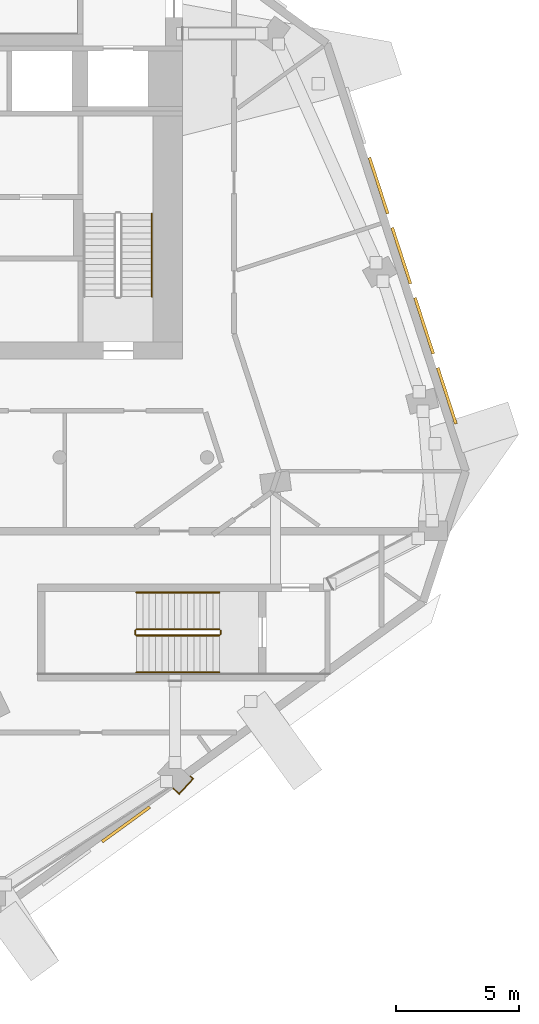
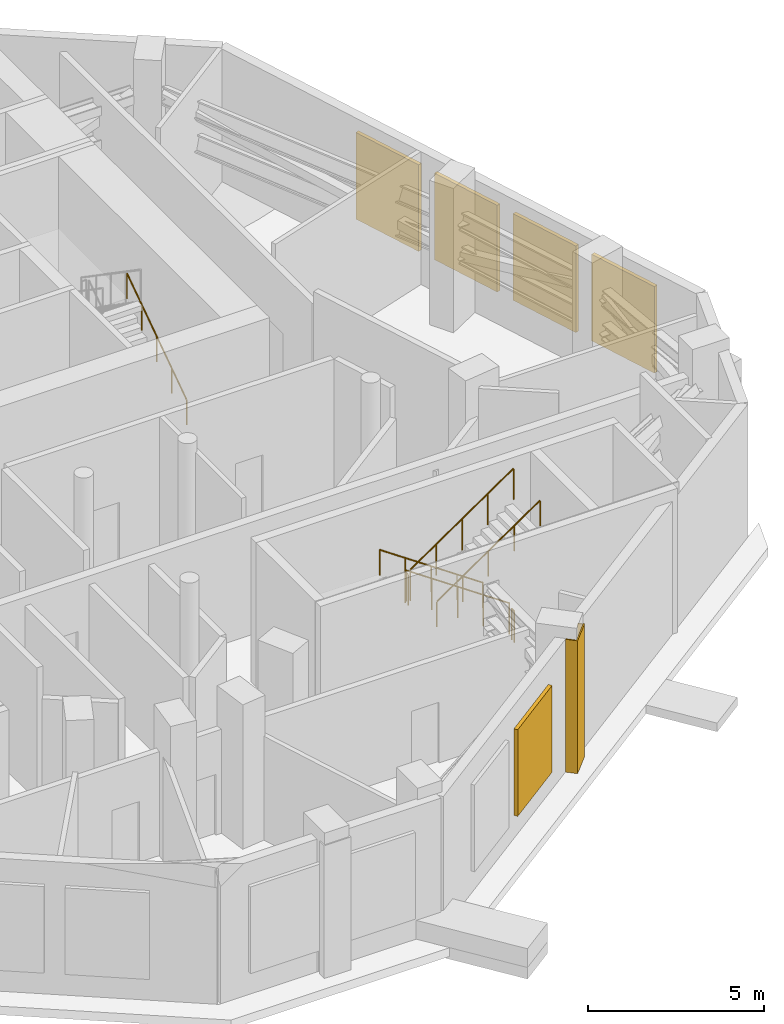
# One storey, part 13 of 15: 7 railings, 5 shading devices, 1 covering.
"""IFC4 building model written with IfcOpenShell, lengths in metres."""

from ifc_helpers import new_model, si_unit, direction, frame, origin, origin_2d, place, context, subcontext, project, spatial, polyline, rectangle, circle, outline, extrude, material, layer, layer_set, type_object, element, save


model = new_model("IFC4")

# Units and contexts
model_context = context("Model", 3, precision=1e-05, world=origin(), true_north=direction((0.0, 1.0)))
body_context = subcontext(model_context, "Body", "Model", "MODEL_VIEW")
ifc_project = project(units=[si_unit("LENGTHUNIT", "METRE"), si_unit("AREAUNIT", "SQUARE_METRE"), si_unit("VOLUMEUNIT", "CUBIC_METRE"), si_unit("PLANEANGLEUNIT", "RADIAN"), si_unit("MASSUNIT", "GRAM", prefix="KILO")], contexts=[model_context])

# Site, building, storey
site_placement = place(None, origin())
site = spatial("IfcSite", under=ifc_project, at=site_placement, CompositionType="ELEMENT")
building_placement = place(site_placement, origin())
building = spatial("IfcBuilding", under=site, at=building_placement, Name="White Candle Pilgrim Tower", CompositionType="ELEMENT")
storey_placement = place(building_placement, frame((0.0, 0.0, 295.10009765625)))
storey = spatial("IfcBuildingStorey", under=building, at=storey_placement, Name="L70", CompositionType="ELEMENT", Elevation=295.10009765625)

# Shading devices
ifc_material_1 = material(Name="Aluminium", Category="aluminium")
shading_device_type = type_object("IfcShadingDeviceType", Name="Plant louvre LV1 2400x3000 aluminium framed", PredefinedType="USERDEFINED", material=ifc_material_1)
for number, where, z_axis, x_axis, name in (
    (1, (78.694580078125, 52.05810546875, 0.7998046875), (0.0, 0.0, 1.0), (0.809016996457, 0.587785249426, 0.0), "Plant louvre L70 SE 2"),
    (2, (91.763916015625, 69.510009765625, 0.7998046875), (0.0, 0.0, 1.0), (-0.309016998591, 0.951056514925, 0.0), "Plant louvre L70 ENE 1"),
    (3, (90.8369140625, 72.36328125, 0.7998046875), (0.0, 0.0, 1.0), (-0.309016998591, 0.951056514925, 0.0), "Plant louvre L70 ENE 2"),
    (4, (89.90966796875, 75.21630859375, 0.7998046875), (0.0, 0.0, 1.0), (-0.309016998591, 0.951056514925, 0.0), "Plant louvre L70 ENE 3"),
    (5, (88.982666015625, 78.069580078125, 0.7998046875), (0.0, 0.0, 1.0), (-0.309016998591, 0.951056514925, 0.0), "Plant louvre L70 ENE 4"),
):
    element("IfcShadingDevice", number, at=place(storey_placement, frame(where, z_axis=z_axis, x_axis=x_axis)), inside=storey, type_object=shading_device_type, Name=name, ObjectType="LOUVRE", PredefinedType="USERDEFINED", context=body_context, shape_type="SweptSolid", body=[
        extrude(rectangle(XDim=2.39990234375, YDim=0.1201171875, at=origin_2d()), origin(), (0.0, 0.0, 1.0), 3.0),
    ])

# Covering
ifc_material_2 = material(Name="Precast concrete C40/50", Category="concrete")
ifc_layer = layer(ifc_material_2, 0.0400390625)
ifc_layer_set = layer_set([ifc_layer], Name="Precast column cover CL4 40")
covering_type = type_object("IfcCoveringType", Name="Precast column cover CL4 40", PredefinedType="CLADDING", material=ifc_layer_set)
covering_placement = place(storey_placement, origin())
element("IfcCovering", 6, at=covering_placement, inside=storey, type_object=covering_type, Name="Column cover L70 T05", PredefinedType="CLADDING", context=body_context, shape_type="SweptSolid", body=[
    extrude(outline(polyline([(81.28955078125, 54.017578125), (81.322509765625, 54.041748046875), (81.4580078125, 53.915283203125), (80.85791015625, 53.271728515625), (80.597412109375, 53.514892578125), (80.63037109375, 53.538818359375), (80.85595703125, 53.328369140625), (81.401611328125, 53.913330078125), (81.28955078125, 54.017578125)])), origin(), (0.0, 0.0, 1.0), 4.599853515625),
])

# Railings
ifc_material_3 = material(Name="Stainless steel", Category="steel")
railing_type_1 = type_object("IfcRailingType", Name="Stair guard stainless steel 1100 mm", PredefinedType="GUARDRAIL", material=ifc_material_3)
railing_1_placement = place(storey_placement, frame((82.5, 60.0, 0.178466796875)))
element("IfcRailing", 7, at=railing_1_placement, inside=storey, type_object=railing_type_1, Name="L70 ST4 stair guard 1", PredefinedType="GUARDRAIL", context=body_context, shape_type="SweptSolid", body=[
    extrude(circle(Radius=0.02392578125, at=origin_2d()), frame((0.0, 0.0, 1.076171875), z_axis=(-0.824285065979, 0.0, 0.566174999451), x_axis=(0.0, -1.0, 0.0)), (0.0, 0.0, 1.0), 4.100341796875),
    extrude(circle(Radius=0.02099609375, at=origin_2d()), origin(), (0.0, 0.0, 1.0), 1.052001953125),
    extrude(circle(Radius=0.02099609375, at=origin_2d()), frame((-0.844970703125, 0.0, 0.580322265625)), (0.0, 0.0, 1.0), 1.052001953125),
    extrude(circle(Radius=0.02099609375, at=origin_2d()), frame((-1.68994140625, 0.0, 1.16064453125)), (0.0, 0.0, 1.0), 1.052001953125),
    extrude(circle(Radius=0.02099609375, at=origin_2d()), frame((-2.534912109375, 0.0, 1.7412109375)), (0.0, 0.0, 1.0), 1.052001953125),
    extrude(circle(Radius=0.02099609375, at=origin_2d()), frame((-3.3798828125, 0.0, 2.321533203125)), (0.0, 0.0, 1.0), 1.052001953125),
])
railing_2_placement = place(storey_placement, frame((79.070068359375, 59.949951171875, 2.5)))
element("IfcRailing", 8, at=railing_2_placement, inside=storey, type_object=railing_type_1, Name="L70 ST4 stair guard 2", PredefinedType="GUARDRAIL", context=body_context, shape_type="SweptSolid", body=[
    extrude(circle(Radius=0.02392578125, at=origin_2d()), frame((0.0, 0.0, 1.076171875), z_axis=(0.0, -1.0, 0.0), x_axis=(1.0, 0.0, 0.0)), (0.0, 0.0, 1.0), 0.14990234375),
    extrude(circle(Radius=0.02099609375, at=origin_2d()), origin(), (0.0, 0.0, 1.0), 1.052001953125),
    extrude(circle(Radius=0.02099609375, at=origin_2d()), frame((0.0, -0.14990234375, 0.0)), (0.0, 0.0, 1.0), 1.052001953125),
])
railing_3_placement = place(storey_placement, frame((79.1201171875, 59.75, 2.678466796875)))
element("IfcRailing", 9, at=railing_3_placement, inside=storey, type_object=railing_type_1, Name="L70 ST4 stair guard 3", PredefinedType="GUARDRAIL", context=body_context, shape_type="SweptSolid", body=[
    extrude(circle(Radius=0.02392578125, at=origin_2d()), frame((0.0, 0.0, 1.076171875), z_axis=(0.824285065979, 0.0, 0.566174999451), x_axis=(0.0, 1.0, 0.0)), (0.0, 0.0, 1.0), 4.100341796875),
    extrude(circle(Radius=0.02099609375, at=origin_2d()), origin(), (0.0, 0.0, 1.0), 1.052001953125),
    extrude(circle(Radius=0.02099609375, at=origin_2d()), frame((0.844970703125, 0.0, 0.580322265625)), (0.0, 0.0, 1.0), 1.052001953125),
    extrude(circle(Radius=0.02099609375, at=origin_2d()), frame((1.68994140625, 0.0, 1.16064453125)), (0.0, 0.0, 1.0), 1.052001953125),
    extrude(circle(Radius=0.02099609375, at=origin_2d()), frame((2.534912109375, 0.0, 1.7412109375)), (0.0, 0.0, 1.0), 1.052001953125),
    extrude(circle(Radius=0.02099609375, at=origin_2d()), frame((3.3798828125, 0.0, 2.321533203125)), (0.0, 0.0, 1.0), 1.052001953125),
])
railing_4_placement = place(storey_placement, frame((82.550048828125, 59.949951171875, 0.0)))
element("IfcRailing", 10, at=railing_4_placement, inside=storey, type_object=railing_type_1, Name="L70 ST4 stair guard 4", PredefinedType="GUARDRAIL", context=body_context, shape_type="SweptSolid", body=[
    extrude(circle(Radius=0.02392578125, at=origin_2d()), frame((0.0, 0.0, 1.076171875), z_axis=(0.0, -1.0, 0.0), x_axis=(1.0, 0.0, 0.0)), (0.0, 0.0, 1.0), 0.14990234375),
    extrude(circle(Radius=0.02099609375, at=origin_2d()), origin(), (0.0, 0.0, 1.0), 1.052001953125),
    extrude(circle(Radius=0.02099609375, at=origin_2d()), frame((0.0, -0.14990234375, 0.0)), (0.0, 0.0, 1.0), 1.052001953125),
])
railing_type_2 = type_object("IfcRailingType", Name="Stair handrail stainless steel", PredefinedType="HANDRAIL", material=ifc_material_3)
railing_5_placement = place(storey_placement, frame((79.75, 73.550048828125, 0.178466796875)))
element("IfcRailing", 11, at=railing_5_placement, inside=storey, type_object=railing_type_2, Name="L70 ST2 stair handrail 1", PredefinedType="HANDRAIL", context=body_context, shape_type="SweptSolid", body=[
    extrude(circle(Radius=0.02392578125, at=origin_2d()), frame((0.0, 0.0, 0.8759765625), z_axis=(0.0, 0.824285065979, 0.566174999451), x_axis=(-1.0, 0.0, 0.0)), (0.0, 0.0, 1.0), 4.100341796875),
    extrude(circle(Radius=0.02099609375, at=origin_2d()), origin(), (0.0, 0.0, 1.0), 0.851806640625),
    extrude(circle(Radius=0.02099609375, at=origin_2d()), frame((0.0, 0.844970703125, 0.580322265625)), (0.0, 0.0, 1.0), 0.851806640625),
    extrude(circle(Radius=0.02099609375, at=origin_2d()), frame((0.0, 1.68994140625, 1.16064453125)), (0.0, 0.0, 1.0), 0.851806640625),
    extrude(circle(Radius=0.02099609375, at=origin_2d()), frame((0.0, 2.534912109375, 1.7412109375)), (0.0, 0.0, 1.0), 0.851806640625),
    extrude(circle(Radius=0.02099609375, at=origin_2d()), frame((0.0, 3.3798828125, 2.321533203125)), (0.0, 0.0, 1.0), 0.851806640625),
])
railing_6_placement = place(storey_placement, frame((82.5, 61.5, 0.178466796875)))
element("IfcRailing", 12, at=railing_6_placement, inside=storey, type_object=railing_type_2, Name="L70 ST4 stair handrail 1", PredefinedType="HANDRAIL", context=body_context, shape_type="SweptSolid", body=[
    extrude(circle(Radius=0.02392578125, at=origin_2d()), frame((0.0, 0.0, 0.8759765625), z_axis=(-0.824285065979, 0.0, 0.566174999451), x_axis=(0.0, -1.0, 0.0)), (0.0, 0.0, 1.0), 4.100341796875),
    extrude(circle(Radius=0.02099609375, at=origin_2d()), origin(), (0.0, 0.0, 1.0), 0.851806640625),
    extrude(circle(Radius=0.02099609375, at=origin_2d()), frame((-0.844970703125, 0.0, 0.580322265625)), (0.0, 0.0, 1.0), 0.851806640625),
    extrude(circle(Radius=0.02099609375, at=origin_2d()), frame((-1.68994140625, 0.0, 1.16064453125)), (0.0, 0.0, 1.0), 0.851806640625),
    extrude(circle(Radius=0.02099609375, at=origin_2d()), frame((-2.534912109375, 0.0, 1.7412109375)), (0.0, 0.0, 1.0), 0.851806640625),
    extrude(circle(Radius=0.02099609375, at=origin_2d()), frame((-3.3798828125, 0.0, 2.321533203125)), (0.0, 0.0, 1.0), 0.851806640625),
])
railing_7_placement = place(storey_placement, frame((79.1201171875, 58.25, 2.678466796875)))
element("IfcRailing", 13, at=railing_7_placement, inside=storey, type_object=railing_type_2, Name="L70 ST4 stair handrail 2", PredefinedType="HANDRAIL", context=body_context, shape_type="SweptSolid", body=[
    extrude(circle(Radius=0.02392578125, at=origin_2d()), frame((0.0, 0.0, 0.8759765625), z_axis=(0.824285065979, 0.0, 0.566174999451), x_axis=(0.0, 1.0, 0.0)), (0.0, 0.0, 1.0), 4.100341796875),
    extrude(circle(Radius=0.02099609375, at=origin_2d()), origin(), (0.0, 0.0, 1.0), 0.851806640625),
    extrude(circle(Radius=0.02099609375, at=origin_2d()), frame((0.844970703125, 0.0, 0.580322265625)), (0.0, 0.0, 1.0), 0.851806640625),
    extrude(circle(Radius=0.02099609375, at=origin_2d()), frame((1.68994140625, 0.0, 1.16064453125)), (0.0, 0.0, 1.0), 0.851806640625),
    extrude(circle(Radius=0.02099609375, at=origin_2d()), frame((2.534912109375, 0.0, 1.7412109375)), (0.0, 0.0, 1.0), 0.851806640625),
    extrude(circle(Radius=0.02099609375, at=origin_2d()), frame((3.3798828125, 0.0, 2.321533203125)), (0.0, 0.0, 1.0), 0.851806640625),
])

save(model, "model.ifc")
